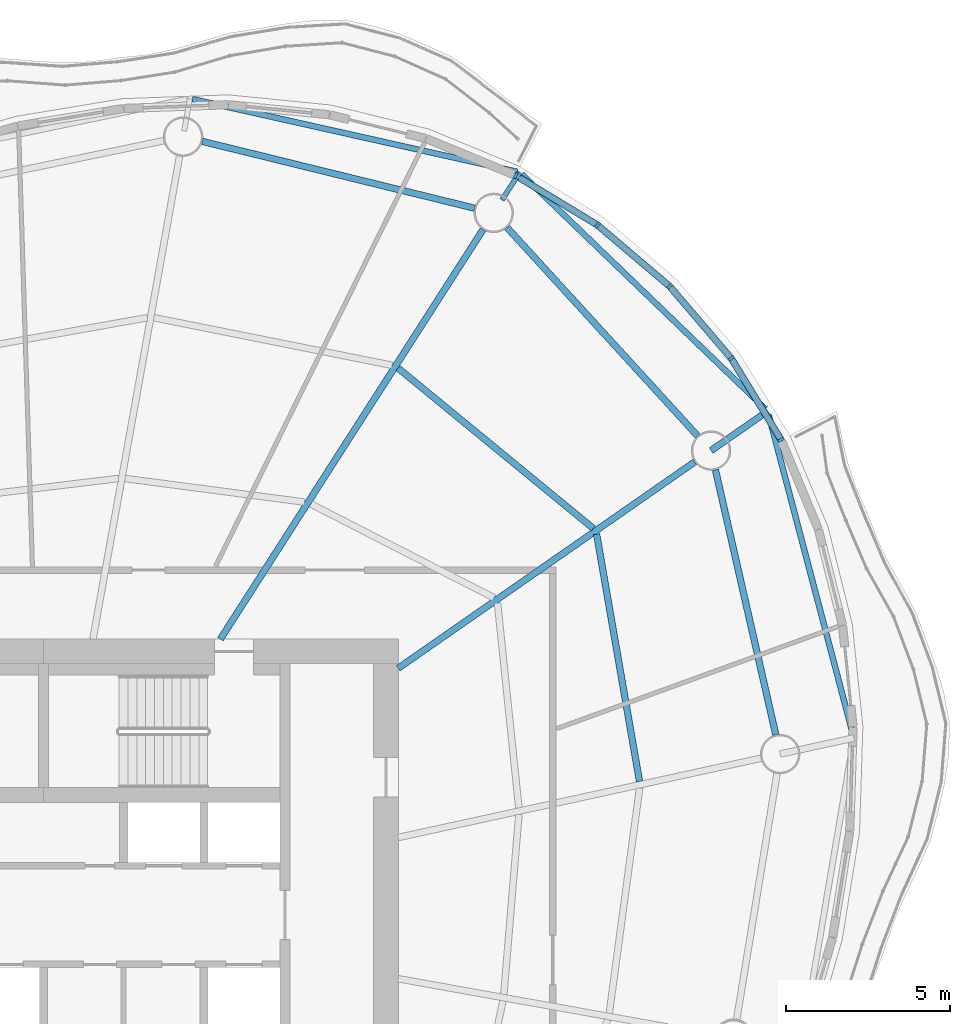
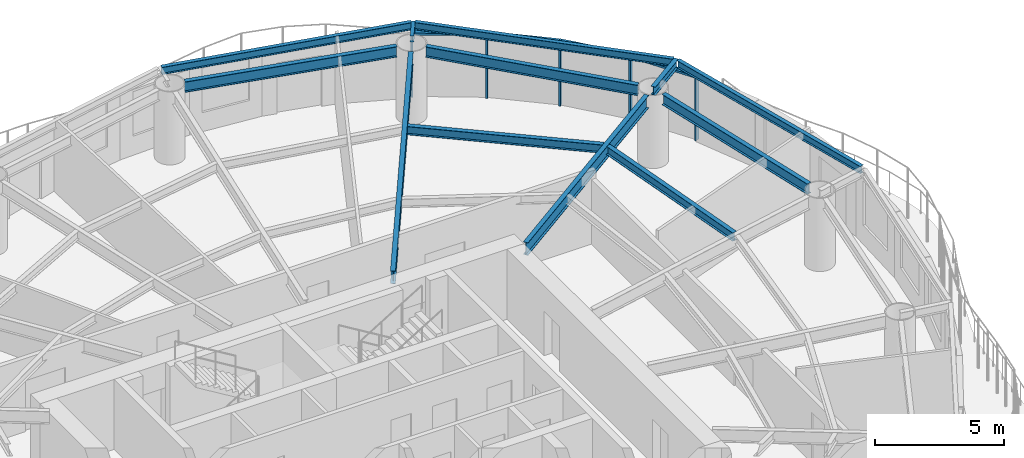
# One storey, part 6 of 14: 12 beams, 9 members, 4 elements without a shape of their own.
"""IFC4 building model written with IfcOpenShell, lengths in metres."""

from ifc_helpers import new_model, si_unit, direction, frame, origin, origin_2d, place, context, subcontext, project, spatial, rectangle, i_section, extrude, material, material_profile, profile_set, type_object, element, aggregate, save


model = new_model("IFC4")

# Units and contexts
model_context = context("Model", 3, precision=1e-05, world=origin(), true_north=direction((0.0, 1.0)))
body_context = subcontext(model_context, "Body", "Model", "MODEL_VIEW")
ifc_project = project(units=[si_unit("LENGTHUNIT", "METRE"), si_unit("AREAUNIT", "SQUARE_METRE"), si_unit("VOLUMEUNIT", "CUBIC_METRE"), si_unit("PLANEANGLEUNIT", "RADIAN"), si_unit("MASSUNIT", "GRAM", prefix="KILO")], contexts=[model_context])

# Site, building, storey
site_placement = place(None, origin())
site = spatial("IfcSite", under=ifc_project, at=site_placement, CompositionType="ELEMENT")
building_placement = place(site_placement, origin())
building = spatial("IfcBuilding", under=site, at=building_placement, Name="Vermilion Reach Broadcast Tower", CompositionType="ELEMENT")
storey_placement = place(building_placement, frame((0.0, 0.0, 213.699951171875)))
storey = spatial("IfcBuildingStorey", under=building, at=storey_placement, Name="L52", CompositionType="ELEMENT", Elevation=213.699951171875)

# Beams
ifc_material_1 = material(Name="Steel S355J2", Category="steel")
ifc_material_profile_1 = material_profile(ifc_material_1, i_section(OverallWidth=0.175048828125, OverallDepth=0.35009765625, WebThickness=0.007080078125, FlangeThickness=0.010986328125, at=origin_2d()), Name="S355J2 HN 350x175x7x11")
ifc_profile_set_1 = profile_set([ifc_material_profile_1], Name="Steel S355J2")
beam_type_1 = type_object("IfcBeamType", Name="EB4 HN 350x175x7x11", PredefinedType="BEAM", material=ifc_profile_set_1)
beam_1_placement = place(storey_placement, frame((8.417724609375, 22.62255859375, 3.275146484375), z_axis=(-0.975874186732, 0.218333624689, 0.0), x_axis=(-0.218333624689, -0.975874186732, 0.0)))
element("IfcBeam", 1, at=beam_1_placement, inside=storey, type_object=beam_type_1, Name="Edge beam EB4-01", PredefinedType="BEAM", context=body_context, shape_type="SweptSolid", body=[
    extrude(i_section(OverallWidth=0.175048828125, OverallDepth=0.35009765625, WebThickness=0.007080078125, FlangeThickness=0.010986328125, at=origin_2d()), origin(), (0.0, 0.0, 1.0), 10.130859375),
])
beam_2_placement = place(storey_placement, frame((18.6396484375, 5.48828125, 3.275146484375), z_axis=(-0.254963029611, 0.966950802022, 0.0), x_axis=(-0.966950802022, -0.254963029611, 0.0)))
element("IfcBeam", 2, at=beam_2_placement, inside=storey, type_object=beam_type_1, Name="Edge beam EB4-15", PredefinedType="BEAM", context=body_context, shape_type="SweptSolid", body=[
    extrude(i_section(OverallWidth=0.175048828125, OverallDepth=0.35009765625, WebThickness=0.007080078125, FlangeThickness=0.010986328125, at=origin_2d()), origin(), (0.0, 0.0, 1.0), 10.0791015625),
])
beam_3_placement = place(storey_placement, frame((15.96923828125, 15.407958984375, 3.275146484375), z_axis=(-0.720314949507, 0.69364715347, 0.0), x_axis=(-0.69364715347, -0.720314949507, 0.0)))
element("IfcBeam", 3, at=beam_3_placement, inside=storey, type_object=beam_type_1, Name="Edge beam EB4-16", PredefinedType="BEAM", context=body_context, shape_type="SweptSolid", body=[
    extrude(i_section(OverallWidth=0.175048828125, OverallDepth=0.35009765625, WebThickness=0.007080078125, FlangeThickness=0.010986328125, at=origin_2d()), origin(), (0.0, 0.0, 1.0), 10.29931640625),
])
ifc_material_2 = material(Name="Steel S355J2", Category="steel")
ifc_material_profile_2 = material_profile(ifc_material_2, i_section(OverallWidth=0.199951171875, OverallDepth=0.60009765625, WebThickness=0.010986328125, FlangeThickness=0.01708984375, at=origin_2d()), Name="S355J2 HN 600x200x11x17")
ifc_profile_set_2 = profile_set([ifc_material_profile_2], Name="Steel S355J2")
beam_type_2 = type_object("IfcBeamType", Name="G4 HN 600x200x11x17", PredefinedType="BEAM", material=ifc_profile_set_2)
beam_4_placement = place(storey_placement, frame((-0.613525390625, 8.39990234375, 3.150146484375), z_axis=(0.539796447586, 0.84179557802, 0.0), x_axis=(-0.84179557802, 0.539796447586, 0.0)))
element("IfcBeam", 4, at=beam_4_placement, inside=storey, type_object=beam_type_2, Name="Girder G4-01", PredefinedType="BEAM", context=body_context, shape_type="SweptSolid", body=[
    extrude(i_section(OverallWidth=0.199951171875, OverallDepth=0.60009765625, WebThickness=0.010986328125, FlangeThickness=0.01708984375, at=origin_2d()), origin(), (0.0, 0.0, 1.0), 14.8076171875),
])
beam_5_placement = place(storey_placement, frame((4.800048828125, 7.5146484375, 3.150146484375), z_axis=(0.820848627818, 0.571145804684, 0.0), x_axis=(-0.571145804684, 0.820848627818, 0.0)))
element("IfcBeam", 5, at=beam_5_placement, inside=storey, type_object=beam_type_2, Name="Girder G4-16", PredefinedType="BEAM", context=body_context, shape_type="SweptSolid", body=[
    extrude(i_section(OverallWidth=0.199951171875, OverallDepth=0.60009765625, WebThickness=0.010986328125, FlangeThickness=0.01708984375, at=origin_2d()), origin(), (0.0, 0.0, 1.0), 10.99560546875),
])
ifc_material_3 = material(Name="Steel S355J2", Category="steel")
ifc_material_profile_3 = material_profile(ifc_material_3, i_section(OverallWidth=0.199951171875, OverallDepth=0.39990234375, WebThickness=0.008056640625, FlangeThickness=0.012939453125, at=origin_2d()), Name="S355J2 HN 400x200x8x13")
ifc_profile_set_3 = profile_set([ifc_material_profile_3], Name="Steel S355J2")
beam_type_3 = type_object("IfcBeamType", Name="GC4 HN 400x200x8x13", PredefinedType="BEAM", material=ifc_profile_set_3)
beam_6_placement = place(storey_placement, frame((14.318115234375, 14.13720703125, 3.25), z_axis=(0.820855460981, 0.571135983964, 0.0), x_axis=(-0.571135983964, 0.820855460981, 0.0)))
element("IfcBeam", 6, at=beam_6_placement, inside=storey, type_object=beam_type_3, Name="Cantilever girder GC4-16", PredefinedType="BEAM", context=body_context, shape_type="SweptSolid", body=[
    extrude(i_section(OverallWidth=0.199951171875, OverallDepth=0.39990234375, WebThickness=0.008056640625, FlangeThickness=0.012939453125, at=origin_2d()), origin(), (0.0, 0.0, 1.0), 2.10107421875),
])
ifc_material_4 = material(Name="Steel S355J2", Category="steel")
ifc_material_profile_4 = material_profile(ifc_material_4, i_section(OverallWidth=0.14990234375, OverallDepth=0.300048828125, WebThickness=0.006591796875, FlangeThickness=0.009033203125, at=origin_2d()), Name="S355J2 HN 300x150x6.5x9")
ifc_profile_set_4 = profile_set([ifc_material_profile_4], Name="Steel S355J2")
beam_type_4 = type_object("IfcBeamType", Name="GS4 HN 300x150x6.5x9", PredefinedType="BEAM", material=ifc_profile_set_4)
beam_7_placement = place(storey_placement, frame((7.955810546875, 21.763427734375, 3.300048828125), z_axis=(0.539794777091, 0.841796649213, 0.0), x_axis=(-0.841796649213, 0.539794777091, 0.0)))
element("IfcBeam", 7, at=beam_7_placement, inside=storey, type_object=beam_type_4, Name="Cantilever stub GS4-01", PredefinedType="BEAM", context=body_context, shape_type="SweptSolid", body=[
    extrude(i_section(OverallWidth=0.14990234375, OverallDepth=0.300048828125, WebThickness=0.006591796875, FlangeThickness=0.009033203125, at=origin_2d()), origin(), (0.0, 0.0, 1.0), 1.0),
])
ifc_material_5 = material(Name="Steel S355J2", Category="steel")
ifc_material_profile_5 = material_profile(ifc_material_5, i_section(OverallWidth=0.199951171875, OverallDepth=0.5, WebThickness=0.010009765625, FlangeThickness=0.01611328125, at=origin_2d()), Name="S355J2 HN 500x200x10x16")
ifc_profile_set_5 = profile_set([ifc_material_profile_5], Name="Steel S355J2")
beam_type_5 = type_object("IfcBeamType", Name="RB4 HN 500x200x10x16", PredefinedType="BEAM", material=ifc_profile_set_5)
beam_8_placement = place(storey_placement, frame((7.120849609375, 21.51318359375, 3.199951171875), z_axis=(-0.971158622271, 0.238434331398, 0.0), x_axis=(-0.238434331398, -0.971158622271, 0.0)))
element("IfcBeam", 8, at=beam_8_placement, inside=storey, type_object=beam_type_5, Name="Ring beam RB4-01", PredefinedType="BEAM", context=body_context, shape_type="SweptSolid", body=[
    extrude(i_section(OverallWidth=0.199951171875, OverallDepth=0.5, WebThickness=0.010009765625, FlangeThickness=0.01611328125, at=origin_2d()), origin(), (0.0, 0.0, 1.0), 8.534423828125),
])
beam_9_placement = place(storey_placement, frame((16.290283203125, 5.486572265625, 3.199951171875), z_axis=(-0.222283068275, 0.974982172944, 0.0), x_axis=(-0.974982172944, -0.222283068275, 0.0)))
element("IfcBeam", 9, at=beam_9_placement, inside=storey, type_object=beam_type_5, Name="Ring beam RB4-15", PredefinedType="BEAM", context=body_context, shape_type="SweptSolid", body=[
    extrude(i_section(OverallWidth=0.199951171875, OverallDepth=0.5, WebThickness=0.010009765625, FlangeThickness=0.01611328125, at=origin_2d()), origin(), (0.0, 0.0, 1.0), 8.272705078125),
])
beam_10_placement = place(storey_placement, frame((13.9130859375, 14.580078125, 3.199951171875), z_axis=(-0.674868141417, 0.737938338684, 0.0), x_axis=(-0.737938338684, -0.674868141417, 0.0)))
element("IfcBeam", 10, at=beam_10_placement, inside=storey, type_object=beam_type_5, Name="Ring beam RB4-16", PredefinedType="BEAM", context=body_context, shape_type="SweptSolid", body=[
    extrude(i_section(OverallWidth=0.199951171875, OverallDepth=0.5, WebThickness=0.010009765625, FlangeThickness=0.01611328125, at=origin_2d()), origin(), (0.0, 0.0, 1.0), 8.601318359375),
])
ifc_material_6 = material(Name="Steel S355J2", Category="steel")
ifc_material_profile_6 = material_profile(ifc_material_6, i_section(OverallWidth=0.199951171875, OverallDepth=0.39990234375, WebThickness=0.008056640625, FlangeThickness=0.012939453125, at=origin_2d()), Name="S355J2 HN 400x200x8x13")
ifc_profile_set_6 = profile_set([ifc_material_profile_6], Name="Steel S355J2")
beam_type_6 = type_object("IfcBeamType", Name="SB4 HN 400x200x8x13", PredefinedType="BEAM", material=ifc_profile_set_6)
beam_11_placement = place(storey_placement, frame((12.141357421875, 4.067626953125, 3.25), z_axis=(-0.170926997669, 0.985283695931, 0.0), x_axis=(-0.985283695931, -0.170926997669, 0.0)))
element("IfcBeam", 11, at=beam_11_placement, inside=storey, type_object=beam_type_6, Name="Secondary beam SB4-15-2", PredefinedType="BEAM", context=body_context, shape_type="SweptSolid", body=[
    extrude(i_section(OverallWidth=0.199951171875, OverallDepth=0.39990234375, WebThickness=0.008056640625, FlangeThickness=0.012939453125, at=origin_2d()), origin(), (0.0, 0.0, 1.0), 7.63720703125),
])
beam_12_placement = place(storey_placement, frame((10.73681640625, 11.76708984375, 3.25), z_axis=(-0.772952000494, 0.6344645025, 0.0), x_axis=(-0.6344645025, -0.772952000494, 0.0)))
element("IfcBeam", 12, at=beam_12_placement, inside=storey, type_object=beam_type_6, Name="Secondary beam SB4-16-2", PredefinedType="BEAM", context=body_context, shape_type="SweptSolid", body=[
    extrude(i_section(OverallWidth=0.199951171875, OverallDepth=0.39990234375, WebThickness=0.008056640625, FlangeThickness=0.012939453125, at=origin_2d()), origin(), (0.0, 0.0, 1.0), 7.689697265625),
])

# Curtain wall, member
ifc_material_7 = material(Name="Low-e laminated clear glass in aluminium frame", Category="aluminium")
curtain_wall_type = type_object("IfcCurtainWallType", Name="Slot curtain wall", PredefinedType="NOTDEFINED", material=ifc_material_7)
placement = place(storey_placement, origin())
curtain_wall_1 = element("IfcCurtainWall", 13, at=placement, inside=storey, type_object=curtain_wall_type, Name="Slot curtain wall L52 46", PredefinedType="NOTDEFINED")
ifc_material_8 = material(Name="Anodised aluminium", Category="aluminium")
ifc_material_profile_7 = material_profile(ifc_material_8, rectangle(XDim=0.199951171875, YDim=0.080078125, at=origin_2d()), Name="Slot mullion 80 x 200")
ifc_profile_set_7 = profile_set([ifc_material_profile_7], Name="Anodised aluminium")
member_type_1 = type_object("IfcMemberType", Name="Slot mullion 80 x 200", PredefinedType="MULLION", material=ifc_profile_set_7)
member_1_placement = place(storey_placement, frame((16.448974609375, 14.467529296875, 0.0), z_axis=(0.0, 0.0, 1.0), x_axis=(-0.890637445081, -0.454714131538, 0.0)))
member_1 = element("IfcMember", 14, at=member_1_placement, type_object=member_type_1, Name="Slot mullion L52 46", PredefinedType="MULLION", context=body_context, shape_type="SweptSolid", body=[
    extrude(rectangle(XDim=0.199951171875, YDim=0.080078125, at=origin_2d()), origin(), (0.0, 0.0, 1.0), 3.050048828125),
])

curtain_wall_2 = element("IfcCurtainWall", 15, at=placement, inside=storey, type_object=curtain_wall_type, Name="Slot curtain wall L52 47", PredefinedType="NOTDEFINED")
member_2_placement = place(storey_placement, frame((14.93115234375, 16.947021484375, 0.0), z_axis=(0.0, 0.0, 1.0), x_axis=(-0.808902989174, -0.587942134998, 0.0)))
member_2 = element("IfcMember", 16, at=member_2_placement, type_object=member_type_1, Name="Slot mullion L52 47", PredefinedType="MULLION", context=body_context, shape_type="SweptSolid", body=[
    extrude(rectangle(XDim=0.199951171875, YDim=0.080078125, at=origin_2d()), origin(), (0.0, 0.0, 1.0), 3.050048828125),
])

curtain_wall_3 = element("IfcCurtainWall", 17, at=placement, inside=storey, type_object=curtain_wall_type, Name="Slot curtain wall L52 00", PredefinedType="NOTDEFINED")
member_3_placement = place(storey_placement, frame((13.057373046875, 19.13720703125, 0.0), z_axis=(0.0, 0.0, 1.0), x_axis=(-0.705624322559, -0.708586138315, 0.0)))
member_3 = element("IfcMember", 18, at=member_3_placement, type_object=member_type_1, Name="Slot mullion L52 00", PredefinedType="MULLION", context=body_context, shape_type="SweptSolid", body=[
    extrude(rectangle(XDim=0.199951171875, YDim=0.080078125, at=origin_2d()), origin(), (0.0, 0.0, 1.0), 3.050048828125),
])

# Curtain wall, members
curtain_wall_4 = element("IfcCurtainWall", 19, at=placement, inside=storey, type_object=curtain_wall_type, Name="Slot curtain wall L52 01", PredefinedType="NOTDEFINED")
member_4_placement = place(storey_placement, frame((10.859130859375, 21.001953125, 0.0), z_axis=(0.0, 0.0, 1.0), x_axis=(-0.58454860876, -0.811358690097, 0.0)))
member_4 = element("IfcMember", 20, at=member_4_placement, type_object=member_type_1, Name="Slot mullion L52 01", PredefinedType="MULLION", context=body_context, shape_type="SweptSolid", body=[
    extrude(rectangle(XDim=0.199951171875, YDim=0.080078125, at=origin_2d()), origin(), (0.0, 0.0, 1.0), 3.050048828125),
])
member_5_placement = place(storey_placement, frame((8.373291015625, 22.509521484375, 0.0), z_axis=(0.0, 0.0, 1.0), x_axis=(-0.450979492157, -0.892534311752, 0.0)))
member_5 = element("IfcMember", 21, at=member_5_placement, type_object=member_type_1, Name="Slot mullion L52 02", PredefinedType="MULLION", context=body_context, shape_type="SweptSolid", body=[
    extrude(rectangle(XDim=0.199951171875, YDim=0.080078125, at=origin_2d()), origin(), (0.0, 0.0, 1.0), 3.050048828125),
])

# Member
ifc_material_9 = material(Name="Anodised aluminium", Category="aluminium")
ifc_material_profile_8 = material_profile(ifc_material_9, rectangle(XDim=0.199951171875, YDim=0.10009765625, at=origin_2d()), Name="Slot transom 200 x 100")
ifc_profile_set_8 = profile_set([ifc_material_profile_8], Name="Anodised aluminium")
member_type_2 = type_object("IfcMemberType", Name="Slot transom 200 x 100", PredefinedType="USERDEFINED", material=ifc_profile_set_8)
member_6_placement = place(storey_placement, frame((16.42822265625, 14.501708984375, 3.0), z_axis=(-0.522183341632, 0.852833253176, 0.0), x_axis=(-0.852833253176, -0.522183341632, 0.0)))
member_6 = element("IfcMember", 22, at=member_6_placement, type_object=member_type_2, Name="Slot transom L52 46.1", ObjectType="TRANSOM", PredefinedType="USERDEFINED", context=body_context, shape_type="SweptSolid", body=[
    extrude(rectangle(XDim=0.199951171875, YDim=0.10009765625, at=origin_2d()), origin(), (0.0, 0.0, 1.0), 2.8271484375),
])

aggregate(curtain_wall_1, [member_1, member_6])

member_7_placement = place(storey_placement, frame((14.905029296875, 16.9775390625, 3.0), z_axis=(-0.650087986333, 0.759858940873, 0.0), x_axis=(-0.759858940873, -0.650087986333, 0.0)))
member_7 = element("IfcMember", 23, at=member_7_placement, type_object=member_type_2, Name="Slot transom L52 47.1", ObjectType="TRANSOM", PredefinedType="USERDEFINED", context=body_context, shape_type="SweptSolid", body=[
    extrude(rectangle(XDim=0.199951171875, YDim=0.10009765625, at=origin_2d()), origin(), (0.0, 0.0, 1.0), 2.80224609375),
])

aggregate(curtain_wall_2, [member_2, member_7])

member_8_placement = place(storey_placement, frame((13.02685546875, 19.1630859375, 3.0), z_axis=(-0.762579453088, 0.646894564614, 0.0), x_axis=(-0.646894564614, -0.762579453088, 0.0)))
member_8 = element("IfcMember", 24, at=member_8_placement, type_object=member_type_2, Name="Slot transom L52 00.1", ObjectType="TRANSOM", PredefinedType="USERDEFINED", context=body_context, shape_type="SweptSolid", body=[
    extrude(rectangle(XDim=0.199951171875, YDim=0.10009765625, at=origin_2d()), origin(), (0.0, 0.0, 1.0), 2.802490234375),
])

aggregate(curtain_wall_3, [member_3, member_8])

member_9_placement = place(storey_placement, frame((10.824951171875, 21.022705078125, 3.0), z_axis=(-0.855029594506, 0.518579205637, 0.0), x_axis=(-0.518579205637, -0.855029594506, 0.0)))
member_9 = element("IfcMember", 25, at=member_9_placement, type_object=member_type_2, Name="Slot transom L52 01.1", ObjectType="TRANSOM", PredefinedType="USERDEFINED", context=body_context, shape_type="SweptSolid", body=[
    extrude(rectangle(XDim=0.199951171875, YDim=0.10009765625, at=origin_2d()), origin(), (0.0, 0.0, 1.0), 2.8271484375),
])

aggregate(curtain_wall_4, [member_4, member_5, member_9])

save(model, "model.ifc")
